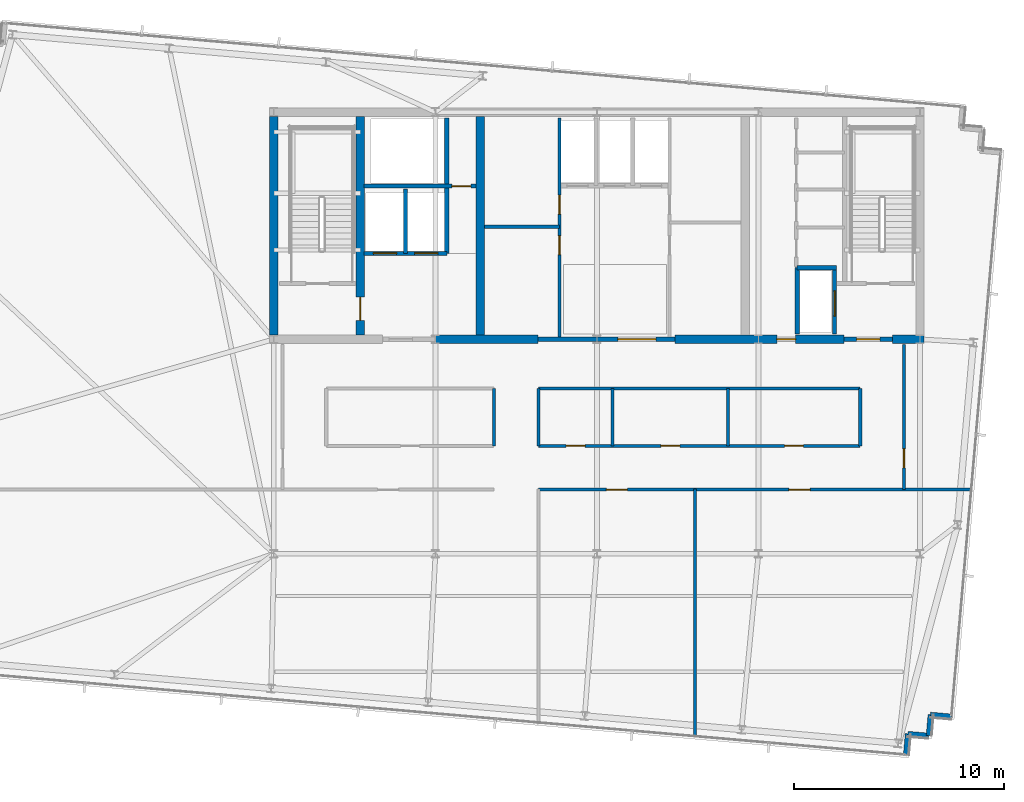
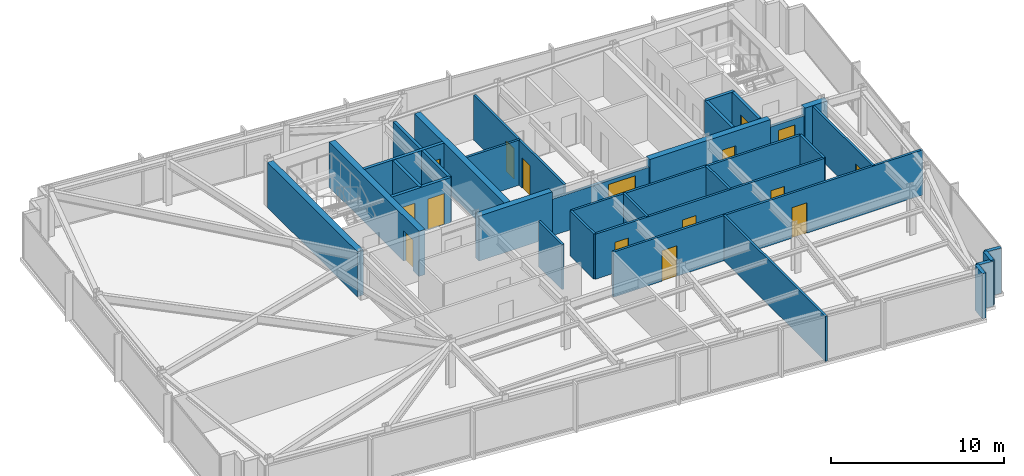
# One storey, part 27 of 32: 31 walls, 16 doors, 16 openings.
"""IFC4 building model written with IfcOpenShell, lengths in metres."""

from ifc_helpers import new_model, si_unit, direction, frame, frame_2d, origin, place, context, subcontext, project, spatial, rectangle, extrude, material, layer, layer_set, type_object, element, fill, save


model = new_model("IFC4")

# Units and contexts
model_context = context("Model", 3, precision=1e-05, world=origin(), true_north=direction((0.0, 1.0)))
body_context = subcontext(model_context, "Body", "Model", "MODEL_VIEW")
ifc_project = project(units=[si_unit("LENGTHUNIT", "METRE"), si_unit("AREAUNIT", "SQUARE_METRE"), si_unit("VOLUMEUNIT", "CUBIC_METRE"), si_unit("PLANEANGLEUNIT", "RADIAN"), si_unit("MASSUNIT", "GRAM", prefix="KILO")], contexts=[model_context])

# Site, building, storey
site_placement = place(None, origin())
site = spatial("IfcSite", under=ifc_project, at=site_placement, CompositionType="ELEMENT")
building_placement = place(site_placement, origin())
building = spatial("IfcBuilding", under=site, at=building_placement, Name="Yelkora Congress Tower", CompositionType="ELEMENT")
storey_placement = place(building_placement, frame((0.0, 0.0, 265.89990234375)))
storey = spatial("IfcBuildingStorey", under=building, at=storey_placement, Name="L74", CompositionType="ELEMENT", Elevation=265.89990234375)

# Wall
ifc_material_1 = material(Name="Concrete C50/60", Category="concrete")
ifc_layer_1 = layer(ifc_material_1, 0.39990234375)
ifc_layer_set_1 = layer_set([ifc_layer_1], Name="Concrete C50/60")
wall_type_1 = type_object("IfcWallType", Name="WALL-CORE-INT-400", PredefinedType="SHEAR", material=ifc_layer_set_1)
wall_1_placement = place(storey_placement, frame((30.719970703125, 35.39990234375, 0.0), z_axis=(0.0, 0.0, 1.0), x_axis=(1.0, 0.0, 0.0)))
element("IfcWall", 1, at=wall_1_placement, inside=storey, type_object=wall_type_1, Name="L74 Rear Core South-Center Shear Pier", PredefinedType="SHEAR", context=body_context, shape_type="SweptSolid", body=[
    extrude(rectangle(XDim=4.880126953125, YDim=0.39990234375, at=frame_2d((2.43994140625, 0.0))), origin(), (0.0, 0.0, 1.0), 3.18017578125),
])

# Wall, opening, door
wall_2_placement = place(storey_placement, frame((42.10009765625, 35.39990234375, 0.0), z_axis=(0.0, 0.0, 1.0), x_axis=(1.0, 0.0, 0.0)))
wall_2 = element("IfcWall", 2, at=wall_2_placement, inside=storey, type_object=wall_type_1, Name="L74 Rear Core South-East Shear Wall A", PredefinedType="SHEAR", context=body_context, shape_type="SweptSolid", body=[
    extrude(rectangle(XDim=8.0498046875, YDim=0.39990234375, at=frame_2d((4.02490234375, 0.0))), origin(), (0.0, 0.0, 1.0), 3.18017578125),
])
opening_1_placement = place(wall_2_placement, frame((4.85009765625, 0.0, 0.0)))
opening_1 = element("IfcOpeningElement", 3, at=opening_1_placement, cuts=wall_2, Name="Opening DR-090F6", PredefinedType="OPENING", context=body_context, shape_type="SweptSolid", body=[
    extrude(rectangle(XDim=0.89990234375, YDim=2.14990234375, at=frame_2d((0.449951171875, 1.074951171875))), frame((0.0, 0.2099609375, 0.0), z_axis=(0.0, -1.0, 0.0), x_axis=(1.0, 0.0, 0.0)), (0.0, 0.0, 1.0), 0.419921875),
])
ifc_material_2 = material(Name="Painted steel riser fire door leaf", Category="steel")
door_type_1 = type_object("IfcDoorType", Name="DOOR-FD60-900", OperationType="NOTDEFINED", PredefinedType="DOOR", material=ifc_material_2)
door_1_placement = place(opening_1_placement, origin())
door_1 = element("IfcDoor", 4, at=door_1_placement, inside=storey, type_object=door_type_1, Name="L74 Core Washroom Lobby Door", OperationType="SINGLE_SWING_RIGHT", OverallHeight=2.14990234375, OverallWidth=0.89990234375, PredefinedType="DOOR", context=body_context, shape_type="SweptSolid", body=[
    extrude(rectangle(XDim=0.89990234375, YDim=2.14990234375, at=frame_2d((0.449951171875, 1.074951171875))), frame((0.0, 0.02490234375, 0.0), z_axis=(0.0, -1.0, 0.0), x_axis=(1.0, 0.0, 0.0)), (0.0, 0.0, 1.0), 0.050048828125),
])
fill(opening_1, door_1)

# Walls
wall_3_placement = place(storey_placement, frame((52.449951171875, 35.39990234375, 0.0), z_axis=(0.0, 0.0, 1.0), x_axis=(1.0, 0.0, 0.0)))
element("IfcWall", 5, at=wall_3_placement, inside=storey, type_object=wall_type_1, Name="L74 Rear Core South-East Shear Wall B", PredefinedType="SHEAR", context=body_context, shape_type="SweptSolid", body=[
    extrude(rectangle(XDim=1.510009765625, YDim=0.39990234375, at=frame_2d((0.7548828125, 0.0))), origin(), (0.0, 0.0, 1.0), 3.18017578125),
])
wall_4_placement = place(storey_placement, frame((23.0400390625, 35.60009765625, 0.0), z_axis=(0.0, 0.0, 1.0), x_axis=(0.0, 1.0, 0.0)))
element("IfcWall", 6, at=wall_4_placement, inside=storey, type_object=wall_type_1, Name="L74 Rear Core Cross Shear Wall W", PredefinedType="SHEAR", context=body_context, shape_type="SweptSolid", body=[
    extrude(rectangle(XDim=10.39990234375, YDim=0.39990234375, at=frame_2d((5.199951171875, 0.0))), origin(), (0.0, 0.0, 1.0), 3.18017578125),
])

# Wall, opening, door
wall_5_placement = place(storey_placement, frame((27.14990234375, 35.60009765625, 0.0), z_axis=(0.0, 0.0, 1.0), x_axis=(0.0, 1.0, 0.0)))
wall_5 = element("IfcWall", 7, at=wall_5_placement, inside=storey, type_object=wall_type_1, Name="L74 Rear Core Cross Shear Wall C1", PredefinedType="SHEAR", context=body_context, shape_type="SweptSolid", body=[
    extrude(rectangle(XDim=10.39990234375, YDim=0.39990234375, at=frame_2d((5.199951171875, 0.0))), origin(), (0.0, 0.0, 1.0), 3.18017578125),
])
opening_2_placement = place(wall_5_placement, frame((0.699951171875, 0.0, 0.0)))
opening_2 = element("IfcOpeningElement", 8, at=opening_2_placement, cuts=wall_5, Name="Opening DR-110F9", PredefinedType="OPENING", context=body_context, shape_type="SweptSolid", body=[
    extrude(rectangle(XDim=1.10009765625, YDim=2.14990234375, at=frame_2d((0.550048828125, 1.074951171875))), frame((0.0, 0.2099609375, 0.0), z_axis=(0.0, -1.0, 0.0), x_axis=(1.0, 0.0, 0.0)), (0.0, 0.0, 1.0), 0.419921875),
])
ifc_material_3 = material(Name="Galvanised steel fire door leaf", Category="steel")
door_type_2 = type_object("IfcDoorType", Name="DOOR-FD90-1100", OperationType="NOTDEFINED", PredefinedType="DOOR", material=ifc_material_3)
door_2_placement = place(opening_2_placement, origin())
door_2 = element("IfcDoor", 9, at=door_2_placement, inside=storey, type_object=door_type_2, Name="L74 Firefighting Stair Transfer Door", OperationType="SINGLE_SWING_LEFT", OverallHeight=2.14990234375, OverallWidth=1.10009765625, PredefinedType="DOOR", context=body_context, shape_type="SweptSolid", body=[
    extrude(rectangle(XDim=1.10009765625, YDim=2.14990234375, at=frame_2d((0.550048828125, 1.074951171875))), frame((0.0, 0.02490234375, 0.0), z_axis=(0.0, -1.0, 0.0), x_axis=(1.0, 0.0, 0.0)), (0.0, 0.0, 1.0), 0.050048828125),
])
fill(opening_2, door_2)

# Walls
wall_6_placement = place(storey_placement, frame((32.85009765625, 35.60009765625, 0.0), z_axis=(0.0, 0.0, 1.0), x_axis=(0.0, 1.0, 0.0)))
element("IfcWall", 10, at=wall_6_placement, inside=storey, type_object=wall_type_1, Name="L74 Rear Core Cross Shear Wall C2", PredefinedType="SHEAR", context=body_context, shape_type="SweptSolid", body=[
    extrude(rectangle(XDim=10.39990234375, YDim=0.39990234375, at=frame_2d((5.199951171875, 0.0))), origin(), (0.0, 0.0, 1.0), 3.18017578125),
])
ifc_material_4 = material(Name="Concrete C40/50", Category="concrete")
ifc_layer_2 = layer(ifc_material_4, 0.239990234375)
ifc_layer_set_2 = layer_set([ifc_layer_2], Name="Concrete C40/50")
wall_type_2 = type_object("IfcWallType", Name="WALL-EXT-LIMESTONE-240", PredefinedType="SOLIDWALL", material=ifc_layer_set_2)
for number, where, z_axis, x_axis, name in (
    (11, (55.2578125, 17.458740234375, 0.0), (0.0, 0.0, 1.0), (-0.996193717496, 0.087166950281, 0.0), "L74 Serrated Corner Limestone Pier 16"),
    (12, (54.26171875, 17.5458984375, 0.0), (0.0, 0.0, 1.0), (-0.087166950281, -0.996193717496, 0.0), "L74 Serrated Corner Limestone Pier 17"),
):
    element("IfcWall", number, at=place(storey_placement, frame(where, z_axis=z_axis, x_axis=x_axis)), inside=storey, type_object=wall_type_2, Name=name, PredefinedType="SOLIDWALL", context=body_context, shape_type="SweptSolid", body=[
        extrude(rectangle(XDim=1.0, YDim=0.239990234375, at=frame_2d((0.5, 0.0))), origin(), (0.0, 0.0, 1.0), 3.18017578125),
    ])
for number, where, z_axis, x_axis, name in (
    (13, (54.174560546875, 16.5498046875, 0.0), (0.0, 0.0, 1.0), (-0.996195572005, 0.087145753297, 0.0), "L74 Serrated Corner Limestone Pier 18"),
    (14, (53.17822265625, 16.636962890625, 0.0), (0.0, 0.0, 1.0), (-0.087145753297, -0.996195572005, 0.0), "L74 Serrated Corner Limestone Pier 19"),
):
    element("IfcWall", number, at=place(storey_placement, frame(where, z_axis=z_axis, x_axis=x_axis)), inside=storey, type_object=wall_type_2, Name=name, PredefinedType="SOLIDWALL", context=body_context, shape_type="SweptSolid", body=[
        extrude(rectangle(XDim=1.000244140625, YDim=0.239990234375, at=frame_2d((0.5, 0.0))), origin(), (0.0, 0.0, 1.0), 3.18017578125),
    ])
ifc_material_5 = material(Name="Acoustic metal-stud gypsum partition", Category="gypsum")
ifc_layer_3 = layer(ifc_material_5, 0.14990234375)
ifc_layer_set_3 = layer_set([ifc_layer_3], Name="Acoustic metal-stud gypsum partition")
wall_type_3 = type_object("IfcWallType", Name="WALL-INT-150-NR", PredefinedType="PARTITIONING", material=ifc_layer_set_3)
wall_7_placement = place(storey_placement, frame((43.06201171875, 16.4580078125, 0.0), z_axis=(0.0, 0.0, 1.0), x_axis=(0.0, 1.0, 0.0)))
element("IfcWall", 15, at=wall_7_placement, inside=storey, type_object=wall_type_3, Name="L74 Partition Wall 25", PredefinedType="PARTITIONING", context=body_context, shape_type="SweptSolid", body=[
    extrude(rectangle(XDim=11.81201171875, YDim=0.14990234375, at=frame_2d((5.906005859375, 0.0))), origin(), (0.0, 0.0, 1.0), 3.18017578125),
])

# Wall, openings, doors
wall_8_placement = place(storey_placement, frame((35.6201171875, 28.25, 0.0), z_axis=(0.0, 0.0, 1.0), x_axis=(1.0, 0.0, 0.0)))
wall_8 = element("IfcWall", 16, at=wall_8_placement, inside=storey, type_object=wall_type_3, Name="L74 South Spine Wall East", PredefinedType="PARTITIONING", context=body_context, shape_type="SweptSolid", body=[
    extrude(rectangle(XDim=20.64208984375, YDim=0.14990234375, at=frame_2d((10.321044921875, 0.0))), origin(), (0.0, 0.0, 1.0), 3.18017578125),
])
opening_3_placement = place(wall_8_placement, frame((3.22607421875, 0.0, 0.0)))
opening_3 = element("IfcOpeningElement", 17, at=opening_3_placement, cuts=wall_8, Name="Opening DR-100N", PredefinedType="OPENING", context=body_context, shape_type="SweptSolid", body=[
    extrude(rectangle(XDim=1.0, YDim=2.14990234375, at=frame_2d((0.5, 1.074951171875))), frame((0.0, 0.0849609375, 0.0), z_axis=(0.0, -1.0, 0.0), x_axis=(1.0, 0.0, 0.0)), (0.0, 0.0, 1.0), 0.169921875),
])
opening_4_placement = place(wall_8_placement, frame((11.910888671875, 0.0, 0.0)))
opening_4 = element("IfcOpeningElement", 18, at=opening_4_placement, cuts=wall_8, Name="Opening DR-100N", PredefinedType="OPENING", context=body_context, shape_type="SweptSolid", body=[
    extrude(rectangle(XDim=1.0, YDim=2.14990234375, at=frame_2d((0.5, 1.074951171875))), frame((0.0, 0.0849609375, 0.0), z_axis=(0.0, -1.0, 0.0), x_axis=(1.0, 0.0, 0.0)), (0.0, 0.0, 1.0), 0.169921875),
])
ifc_material_6 = material(Name="Solid-core Anatolian oak veneer door", Category="wood")
door_type_3 = type_object("IfcDoorType", Name="DOOR-INT-1000", OperationType="NOTDEFINED", PredefinedType="DOOR", material=ifc_material_6)
door_3_placement = place(opening_3_placement, origin())
door_3 = element("IfcDoor", 19, at=door_3_placement, inside=storey, type_object=door_type_3, Name="L74 Conference Hall Door", OperationType="SINGLE_SWING_RIGHT", OverallHeight=2.14990234375, OverallWidth=1.0, PredefinedType="DOOR", context=body_context, shape_type="SweptSolid", body=[
    extrude(rectangle(XDim=1.0, YDim=2.14990234375, at=frame_2d((0.5, 1.074951171875))), frame((0.0, 0.02490234375, 0.0), z_axis=(0.0, -1.0, 0.0), x_axis=(1.0, 0.0, 0.0)), (0.0, 0.0, 1.0), 0.050048828125),
])
fill(opening_3, door_3)
door_4_placement = place(opening_4_placement, origin())
door_4 = element("IfcDoor", 20, at=door_4_placement, inside=storey, type_object=door_type_3, Name="L74 Living & Reading Lounge Door", OperationType="SINGLE_SWING_LEFT", OverallHeight=2.14990234375, OverallWidth=1.0, PredefinedType="DOOR", context=body_context, shape_type="SweptSolid", body=[
    extrude(rectangle(XDim=1.0, YDim=2.14990234375, at=frame_2d((0.5, 1.074951171875))), frame((0.0, 0.02490234375, 0.0), z_axis=(0.0, -1.0, 0.0), x_axis=(1.0, 0.0, 0.0)), (0.0, 0.0, 1.0), 0.050048828125),
])
fill(opening_4, door_4)

# Wall, opening, door
wall_9_placement = place(storey_placement, frame((53.0, 28.25, 0.0), z_axis=(0.0, 0.0, 1.0), x_axis=(0.0, 1.0, 0.0)))
wall_9 = element("IfcWall", 21, at=wall_9_placement, inside=storey, type_object=wall_type_3, Name="L74 Partition Wall 29", PredefinedType="PARTITIONING", context=body_context, shape_type="SweptSolid", body=[
    extrude(rectangle(XDim=6.889892578125, YDim=0.14990234375, at=frame_2d((3.44482421875, 0.0))), origin(), (0.0, 0.0, 1.0), 3.18017578125),
])
opening_5_placement = place(wall_9_placement, frame((1.030029296875, 0.0, 0.0)))
opening_5 = element("IfcOpeningElement", 22, at=opening_5_placement, cuts=wall_9, Name="Opening DR-090N", PredefinedType="OPENING", context=body_context, shape_type="SweptSolid", body=[
    extrude(rectangle(XDim=0.89990234375, YDim=2.14990234375, at=frame_2d((0.449951171875, 1.074951171875))), frame((0.0, 0.0849609375, 0.0), z_axis=(0.0, -1.0, 0.0), x_axis=(1.0, 0.0, 0.0)), (0.0, 0.0, 1.0), 0.169921875),
])
ifc_material_7 = material(Name="Moisture-resistant laminate door leaf", Category="wood")
door_type_4 = type_object("IfcDoorType", Name="DOOR-INT-900", OperationType="NOTDEFINED", PredefinedType="DOOR", material=ifc_material_7)
door_5_placement = place(opening_5_placement, origin())
door_5 = element("IfcDoor", 23, at=door_5_placement, inside=storey, type_object=door_type_4, Name="L74 E Wing Door", OperationType="SINGLE_SWING_LEFT", OverallHeight=2.14990234375, OverallWidth=0.89990234375, PredefinedType="DOOR", context=body_context, shape_type="SweptSolid", body=[
    extrude(rectangle(XDim=0.89990234375, YDim=2.14990234375, at=frame_2d((0.449951171875, 1.074951171875))), frame((0.0, 0.02490234375, 0.0), z_axis=(0.0, -1.0, 0.0), x_axis=(1.0, 0.0, 0.0)), (0.0, 0.0, 1.0), 0.050048828125),
])
fill(opening_5, door_5)

# Walls
for number, where, z_axis, x_axis, name in (
    (24, (50.919921875, 30.330078125, 0.0), (0.0, 0.0, 1.0), (0.0, 1.0, 0.0), "L74 Partition Wall 31"),
    (25, (33.5, 30.330078125, 0.0), (0.0, 0.0, 1.0), (0.0, 1.0, 0.0), "L74 Partition Wall 32"),
    (26, (35.6201171875, 30.330078125, 0.0), (0.0, 0.0, 1.0), (0.0, 1.0, 0.0), "L74 Partition Wall 33"),
):
    element("IfcWall", number, at=place(storey_placement, frame(where, z_axis=z_axis, x_axis=x_axis)), inside=storey, type_object=wall_type_3, Name=name, PredefinedType="PARTITIONING", context=body_context, shape_type="SweptSolid", body=[
        extrude(rectangle(XDim=2.719970703125, YDim=0.14990234375, at=frame_2d((1.35986328125, 0.0))), origin(), (0.0, 0.0, 1.0), 3.18017578125),
    ])
wall_10_placement = place(storey_placement, frame((35.6201171875, 33.050048828125, 0.0), z_axis=(0.0, 0.0, 1.0), x_axis=(1.0, 0.0, 0.0)))
element("IfcWall", 27, at=wall_10_placement, inside=storey, type_object=wall_type_3, Name="L74 Partition Wall 35", PredefinedType="PARTITIONING", context=body_context, shape_type="SweptSolid", body=[
    extrude(rectangle(XDim=15.2998046875, YDim=0.14990234375, at=frame_2d((7.64990234375, 0.0))), origin(), (0.0, 0.0, 1.0), 3.18017578125),
])
for number, where, z_axis, x_axis, name in (
    (28, (39.14208984375, 30.330078125, 0.0), (0.0, 0.0, 1.0), (0.0, 1.0, 0.0), "L74 Partition Wall 37"),
    (29, (44.638916015625, 30.330078125, 0.0), (0.0, 0.0, 1.0), (0.0, 1.0, 0.0), "L74 Partition Wall 38"),
):
    element("IfcWall", number, at=place(storey_placement, frame(where, z_axis=z_axis, x_axis=x_axis)), inside=storey, type_object=wall_type_3, Name=name, PredefinedType="PARTITIONING", context=body_context, shape_type="SweptSolid", body=[
        extrude(rectangle(XDim=2.719970703125, YDim=0.14990234375, at=frame_2d((1.35986328125, 0.0))), origin(), (0.0, 0.0, 1.0), 3.18017578125),
    ])

# Wall, openings, doors
wall_11_placement = place(storey_placement, frame((35.6298828125, 30.330078125, 0.0), z_axis=(0.0, 0.0, 1.0), x_axis=(1.0, 0.0, 0.0)))
wall_11 = element("IfcWall", 30, at=wall_11_placement, inside=storey, type_object=wall_type_3, Name="L74 Partition Wall 39", PredefinedType="PARTITIONING", context=body_context, shape_type="SweptSolid", body=[
    extrude(rectangle(XDim=15.27001953125, YDim=0.14990234375, at=frame_2d((7.635009765625, 0.0))), origin(), (0.0, 0.0, 1.0), 3.18017578125),
])
opening_6_placement = place(wall_11_placement, frame((1.305908203125, 0.0, 0.0)))
opening_6 = element("IfcOpeningElement", 31, at=opening_6_placement, cuts=wall_11, Name="Opening DR-090N", PredefinedType="OPENING", context=body_context, shape_type="SweptSolid", body=[
    extrude(rectangle(XDim=0.89990234375, YDim=2.14990234375, at=frame_2d((0.449951171875, 1.074951171875))), frame((0.0, 0.0849609375, 0.0), z_axis=(0.0, -1.0, 0.0), x_axis=(1.0, 0.0, 0.0)), (0.0, 0.0, 1.0), 0.169921875),
])
opening_7_placement = place(wall_11_placement, frame((5.810546875, 0.0, 0.0)))
opening_7 = element("IfcOpeningElement", 32, at=opening_7_placement, cuts=wall_11, Name="Opening DR-090N", PredefinedType="OPENING", context=body_context, shape_type="SweptSolid", body=[
    extrude(rectangle(XDim=0.89990234375, YDim=2.14990234375, at=frame_2d((0.449951171875, 1.074951171875))), frame((0.0, 0.0849609375, 0.0), z_axis=(0.0, -1.0, 0.0), x_axis=(1.0, 0.0, 0.0)), (0.0, 0.0, 1.0), 0.169921875),
])
opening_8_placement = place(wall_11_placement, frame((11.689453125, 0.0, 0.0)))
opening_8 = element("IfcOpeningElement", 33, at=opening_8_placement, cuts=wall_11, Name="Opening DR-090N", PredefinedType="OPENING", context=body_context, shape_type="SweptSolid", body=[
    extrude(rectangle(XDim=0.89990234375, YDim=2.14990234375, at=frame_2d((0.449951171875, 1.074951171875))), frame((0.0, 0.0849609375, 0.0), z_axis=(0.0, -1.0, 0.0), x_axis=(1.0, 0.0, 0.0)), (0.0, 0.0, 1.0), 0.169921875),
])
door_6_placement = place(opening_6_placement, origin())
door_6 = element("IfcDoor", 34, at=door_6_placement, inside=storey, type_object=door_type_4, Name="L74 Huddle Seminar Room Door", OperationType="SINGLE_SWING_LEFT", OverallHeight=2.14990234375, OverallWidth=0.89990234375, PredefinedType="DOOR", context=body_context, shape_type="SweptSolid", body=[
    extrude(rectangle(XDim=0.89990234375, YDim=2.14990234375, at=frame_2d((0.449951171875, 1.074951171875))), frame((0.0, 0.02490234375, 0.0), z_axis=(0.0, -1.0, 0.0), x_axis=(1.0, 0.0, 0.0)), (0.0, 0.0, 1.0), 0.050048828125),
])
fill(opening_6, door_6)
door_7_placement = place(opening_7_placement, origin())
door_7 = element("IfcDoor", 35, at=door_7_placement, inside=storey, type_object=door_type_4, Name="L74 Breakout Training Room Door", OperationType="SINGLE_SWING_RIGHT", OverallHeight=2.14990234375, OverallWidth=0.89990234375, PredefinedType="DOOR", context=body_context, shape_type="SweptSolid", body=[
    extrude(rectangle(XDim=0.89990234375, YDim=2.14990234375, at=frame_2d((0.449951171875, 1.074951171875))), frame((0.0, 0.02490234375, 0.0), z_axis=(0.0, -1.0, 0.0), x_axis=(1.0, 0.0, 0.0)), (0.0, 0.0, 1.0), 0.050048828125),
])
fill(opening_7, door_7)
door_8_placement = place(opening_8_placement, origin())
door_8 = element("IfcDoor", 36, at=door_8_placement, inside=storey, type_object=door_type_4, Name="L74 Executive Boardroom Door", OperationType="SINGLE_SWING_LEFT", OverallHeight=2.14990234375, OverallWidth=0.89990234375, PredefinedType="DOOR", context=body_context, shape_type="SweptSolid", body=[
    extrude(rectangle(XDim=0.89990234375, YDim=2.14990234375, at=frame_2d((0.449951171875, 1.074951171875))), frame((0.0, 0.02490234375, 0.0), z_axis=(0.0, -1.0, 0.0), x_axis=(1.0, 0.0, 0.0)), (0.0, 0.0, 1.0), 0.050048828125),
])
fill(opening_8, door_8)

# Wall
ifc_material_8 = material(Name="Twin-stud fire-rated gypsum partition", Category="gypsum")
ifc_layer_4 = layer(ifc_material_8, 0.14990234375)
ifc_layer_set_4 = layer_set([ifc_layer_4], Name="Twin-stud fire-rated gypsum partition")
wall_type_4 = type_object("IfcWallType", Name="WALL-INT-150-R60", PredefinedType="PARTITIONING", material=ifc_layer_set_4)
wall_12_placement = place(storey_placement, frame((33.050048828125, 40.75, 0.0), z_axis=(0.0, 0.0, 1.0), x_axis=(1.0, 0.0, 0.0)))
element("IfcWall", 37, at=wall_12_placement, inside=storey, type_object=wall_type_4, Name="L74 Partition Wall 11", PredefinedType="PARTITIONING", context=body_context, shape_type="SweptSolid", body=[
    extrude(rectangle(XDim=3.570068359375, YDim=0.14990234375, at=frame_2d((1.78515625, 0.0))), origin(), (0.0, 0.0, 1.0), 3.18017578125),
])

# Wall, openings, doors
wall_13_placement = place(storey_placement, frame((36.6201171875, 35.5, 0.0), z_axis=(0.0, 0.0, 1.0), x_axis=(0.0, 1.0, 0.0)))
wall_13 = element("IfcWall", 38, at=wall_13_placement, inside=storey, type_object=wall_type_4, Name="L74 Partition Wall 12", PredefinedType="PARTITIONING", context=body_context, shape_type="SweptSolid", body=[
    extrude(rectangle(XDim=10.419921875, YDim=0.14990234375, at=frame_2d((5.2099609375, 0.0))), origin(), (0.0, 0.0, 1.0), 3.18017578125),
])
opening_9_placement = place(wall_13_placement, frame((3.919921875, 0.0, 0.0)))
opening_9 = element("IfcOpeningElement", 39, at=opening_9_placement, cuts=wall_13, Name="Opening DR-090F6", PredefinedType="OPENING", context=body_context, shape_type="SweptSolid", body=[
    extrude(rectangle(XDim=0.89990234375, YDim=2.14990234375, at=frame_2d((0.449951171875, 1.074951171875))), frame((0.0, 0.0849609375, 0.0), z_axis=(0.0, -1.0, 0.0), x_axis=(1.0, 0.0, 0.0)), (0.0, 0.0, 1.0), 0.169921875),
])
opening_10_placement = place(wall_13_placement, frame((5.85009765625, 0.0, 0.0)))
opening_10 = element("IfcOpeningElement", 40, at=opening_10_placement, cuts=wall_13, Name="Opening DR-090F6", PredefinedType="OPENING", context=body_context, shape_type="SweptSolid", body=[
    extrude(rectangle(XDim=0.89990234375, YDim=2.14990234375, at=frame_2d((0.449951171875, 1.074951171875))), frame((0.0, 0.0849609375, 0.0), z_axis=(0.0, -1.0, 0.0), x_axis=(1.0, 0.0, 0.0)), (0.0, 0.0, 1.0), 0.169921875),
])
door_9_placement = place(opening_9_placement, origin())
door_9 = element("IfcDoor", 41, at=door_9_placement, inside=storey, type_object=door_type_1, Name="L74 Telecom Store Door", OperationType="SINGLE_SWING_RIGHT", OverallHeight=2.14990234375, OverallWidth=0.89990234375, PredefinedType="DOOR", context=body_context, shape_type="SweptSolid", body=[
    extrude(rectangle(XDim=0.89990234375, YDim=2.14990234375, at=frame_2d((0.449951171875, 1.074951171875))), frame((0.0, 0.02490234375, 0.0), z_axis=(0.0, -1.0, 0.0), x_axis=(1.0, 0.0, 0.0)), (0.0, 0.0, 1.0), 0.050048828125),
])
fill(opening_9, door_9)
door_10_placement = place(opening_10_placement, origin())
door_10 = element("IfcDoor", 42, at=door_10_placement, inside=storey, type_object=door_type_1, Name="L74 Archive Store Door", OperationType="SINGLE_SWING_LEFT", OverallHeight=2.14990234375, OverallWidth=0.89990234375, PredefinedType="DOOR", context=body_context, shape_type="SweptSolid", body=[
    extrude(rectangle(XDim=0.89990234375, YDim=2.14990234375, at=frame_2d((0.449951171875, 1.074951171875))), frame((0.0, 0.02490234375, 0.0), z_axis=(0.0, -1.0, 0.0), x_axis=(1.0, 0.0, 0.0)), (0.0, 0.0, 1.0), 0.050048828125),
])
fill(opening_10, door_10)

ifc_material_9 = material(Name="Autoclaved aerated concrete blockwork", Category="masonry")
ifc_layer_5 = layer(ifc_material_9, 0.199951171875)
ifc_layer_set_5 = layer_set([ifc_layer_5], Name="Autoclaved aerated concrete blockwork")
wall_type_5 = type_object("IfcWallType", Name="WALL-INT-200-R120", PredefinedType="PARTITIONING", material=ifc_layer_set_5)
wall_14_placement = place(storey_placement, frame((27.320068359375, 39.47998046875, 0.0), z_axis=(0.0, 0.0, 1.0), x_axis=(1.0, 0.0, 0.0)))
wall_14 = element("IfcWall", 43, at=wall_14_placement, inside=storey, type_object=wall_type_5, Name="L74 Firefighting Lift Front Wall", PredefinedType="PARTITIONING", context=body_context, shape_type="SweptSolid", body=[
    extrude(rectangle(XDim=3.93994140625, YDim=0.199951171875, at=frame_2d((1.969970703125, 0.0))), origin(), (0.0, 0.0, 1.0), 3.18017578125),
])
opening_11_placement = place(wall_14_placement, frame((0.449951171875, 0.0, 0.0)))
opening_11 = element("IfcOpeningElement", 44, at=opening_11_placement, cuts=wall_14, Name="Opening LD-FF11", PredefinedType="OPENING", context=body_context, shape_type="SweptSolid", body=[
    extrude(rectangle(XDim=1.10009765625, YDim=2.199951171875, at=frame_2d((0.550048828125, 1.10009765625))), frame((0.0, 0.10986328125, 0.0), z_axis=(0.0, -1.0, 0.0), x_axis=(1.0, 0.0, 0.0)), (0.0, 0.0, 1.0), 0.219970703125),
])
opening_12_placement = place(wall_14_placement, frame((2.409912109375, 0.0, 0.0)))
opening_12 = element("IfcOpeningElement", 45, at=opening_12_placement, cuts=wall_14, Name="Opening LD-FF11", PredefinedType="OPENING", context=body_context, shape_type="SweptSolid", body=[
    extrude(rectangle(XDim=1.10009765625, YDim=2.199951171875, at=frame_2d((0.550048828125, 1.10009765625))), frame((0.0, 0.10986328125, 0.0), z_axis=(0.0, -1.0, 0.0), x_axis=(1.0, 0.0, 0.0)), (0.0, 0.0, 1.0), 0.219970703125),
])
ifc_material_10 = material(Name="Brushed stainless steel 316L landing door", Category="steel")
door_type_5 = type_object("IfcDoorType", Name="DOOR-LIFT-FF-1100", OperationType="DOUBLE_DOOR_SLIDING", PredefinedType="DOOR", material=ifc_material_10)
door_11_placement = place(opening_11_placement, origin())
door_11 = element("IfcDoor", 46, at=door_11_placement, inside=storey, type_object=door_type_5, Name="Lift Landing Door LF-FF1 L74", OperationType="DOUBLE_DOOR_SLIDING", OverallHeight=2.199951171875, OverallWidth=1.10009765625, PredefinedType="DOOR", context=body_context, shape_type="SweptSolid", body=[
    extrude(rectangle(XDim=1.10009765625, YDim=2.199951171875, at=frame_2d((0.550048828125, 1.10009765625))), frame((0.0, 0.02490234375, 0.0), z_axis=(0.0, -1.0, 0.0), x_axis=(1.0, 0.0, 0.0)), (0.0, 0.0, 1.0), 0.050048828125),
])
fill(opening_11, door_11)
door_12_placement = place(opening_12_placement, origin())
door_12 = element("IfcDoor", 47, at=door_12_placement, inside=storey, type_object=door_type_5, Name="Lift Landing Door LF-FF2 L74", OperationType="DOUBLE_DOOR_SLIDING", OverallHeight=2.199951171875, OverallWidth=1.10009765625, PredefinedType="DOOR", context=body_context, shape_type="SweptSolid", body=[
    extrude(rectangle(XDim=1.10009765625, YDim=2.199951171875, at=frame_2d((0.550048828125, 1.10009765625))), frame((0.0, 0.02490234375, 0.0), z_axis=(0.0, -1.0, 0.0), x_axis=(1.0, 0.0, 0.0)), (0.0, 0.0, 1.0), 0.050048828125),
])
fill(opening_12, door_12)

# Walls
wall_15_placement = place(storey_placement, frame((29.300048828125, 39.47998046875, 0.0), z_axis=(0.0, 0.0, 1.0), x_axis=(0.0, 1.0, 0.0)))
element("IfcWall", 48, at=wall_15_placement, inside=storey, type_object=wall_type_5, Name="L74 Partition Wall 4", PredefinedType="PARTITIONING", context=body_context, shape_type="SweptSolid", body=[
    extrude(rectangle(XDim=3.070068359375, YDim=0.199951171875, at=frame_2d((1.53515625, 0.0))), origin(), (0.0, 0.0, 1.0), 3.18017578125),
])
wall_16_placement = place(storey_placement, frame((31.260009765625, 39.47998046875, 0.0), z_axis=(0.0, 0.0, 1.0), x_axis=(0.0, 1.0, 0.0)))
element("IfcWall", 49, at=wall_16_placement, inside=storey, type_object=wall_type_5, Name="L74 Partition Wall 5", PredefinedType="PARTITIONING", context=body_context, shape_type="SweptSolid", body=[
    extrude(rectangle(XDim=6.43994140625, YDim=0.199951171875, at=frame_2d((3.219970703125, 0.0))), origin(), (0.0, 0.0, 1.0), 3.18017578125),
])

# Wall, opening, door
wall_17_placement = place(storey_placement, frame((27.320068359375, 42.679931640625, 0.0), z_axis=(0.0, 0.0, 1.0), x_axis=(1.0, 0.0, 0.0)))
wall_17 = element("IfcWall", 50, at=wall_17_placement, inside=storey, type_object=wall_type_5, Name="L74 Smoke Riser South Wall", PredefinedType="PARTITIONING", context=body_context, shape_type="SweptSolid", body=[
    extrude(rectangle(XDim=5.329833984375, YDim=0.199951171875, at=frame_2d((2.6650390625, 0.0))), origin(), (0.0, 0.0, 1.0), 3.18017578125),
])
opening_13_placement = place(wall_17_placement, frame((4.179931640625, 0.0, 0.0)))
opening_13 = element("IfcOpeningElement", 51, at=opening_13_placement, cuts=wall_17, Name="Opening DR-090F6", PredefinedType="OPENING", context=body_context, shape_type="SweptSolid", body=[
    extrude(rectangle(XDim=0.89990234375, YDim=2.14990234375, at=frame_2d((0.449951171875, 1.074951171875))), frame((0.0, 0.10986328125, 0.0), z_axis=(0.0, -1.0, 0.0), x_axis=(1.0, 0.0, 0.0)), (0.0, 0.0, 1.0), 0.219970703125),
])
door_13_placement = place(opening_13_placement, origin())
door_13 = element("IfcDoor", 52, at=door_13_placement, inside=storey, type_object=door_type_1, Name="L74 Riser Access Door", OperationType="SINGLE_SWING_LEFT", OverallHeight=2.14990234375, OverallWidth=0.89990234375, PredefinedType="DOOR", context=body_context, shape_type="SweptSolid", body=[
    extrude(rectangle(XDim=0.89990234375, YDim=2.14990234375, at=frame_2d((0.449951171875, 1.074951171875))), frame((0.0, 0.02490234375, 0.0), z_axis=(0.0, -1.0, 0.0), x_axis=(1.0, 0.0, 0.0)), (0.0, 0.0, 1.0), 0.050048828125),
])
fill(opening_13, door_13)

wall_18_placement = place(storey_placement, frame((35.60009765625, 35.39990234375, 0.0), z_axis=(0.0, 0.0, 1.0), x_axis=(1.0, 0.0, 0.0)))
wall_18 = element("IfcWall", 53, at=wall_18_placement, inside=storey, type_object=wall_type_5, Name="L74 Main Lift Lobby South Portal Wall", PredefinedType="PARTITIONING", context=body_context, shape_type="SweptSolid", body=[
    extrude(rectangle(XDim=6.5, YDim=0.199951171875, at=frame_2d((3.25, 0.0))), origin(), (0.0, 0.0, 1.0), 2.5751953125),
])
opening_14_placement = place(wall_18_placement, frame((3.800048828125, 0.0, 0.0)))
opening_14 = element("IfcOpeningElement", 54, at=opening_14_placement, cuts=wall_18, Name="Opening DR-180D", PredefinedType="OPENING", context=body_context, shape_type="SweptSolid", body=[
    extrude(rectangle(XDim=1.800048828125, YDim=2.300048828125, at=frame_2d((0.89990234375, 1.14990234375))), frame((0.0, 0.10986328125, 0.0), z_axis=(0.0, -1.0, 0.0), x_axis=(1.0, 0.0, 0.0)), (0.0, 0.0, 1.0), 0.219970703125),
])
ifc_material_11 = material(Name="Acoustic double congress hall doors", Category="wood")
door_type_6 = type_object("IfcDoorType", Name="DOOR-DBL-1800", OperationType="DOUBLE_DOOR_SINGLE_SWING", PredefinedType="DOOR", material=ifc_material_11)
door_14_placement = place(opening_14_placement, origin())
door_14 = element("IfcDoor", 55, at=door_14_placement, inside=storey, type_object=door_type_6, Name="L74 Main Lift Lobby Portal Door", OperationType="DOUBLE_DOOR_SINGLE_SWING", OverallHeight=2.300048828125, OverallWidth=1.800048828125, PredefinedType="DOOR", context=body_context, shape_type="SweptSolid", body=[
    extrude(rectangle(XDim=1.800048828125, YDim=2.300048828125, at=frame_2d((0.89990234375, 1.14990234375))), frame((0.0, 0.02490234375, 0.0), z_axis=(0.0, -1.0, 0.0), x_axis=(1.0, 0.0, 0.0)), (0.0, 0.0, 1.0), 0.050048828125),
])
fill(opening_14, door_14)

wall_19_placement = place(storey_placement, frame((50.14990234375, 35.39990234375, 0.0), z_axis=(0.0, 0.0, 1.0), x_axis=(1.0, 0.0, 0.0)))
wall_19 = element("IfcWall", 56, at=wall_19_placement, inside=storey, type_object=wall_type_5, Name="L74 Partition Wall 16", PredefinedType="PARTITIONING", context=body_context, shape_type="SweptSolid", body=[
    extrude(rectangle(XDim=2.300048828125, YDim=0.199951171875, at=frame_2d((1.14990234375, 0.0))), origin(), (0.0, 0.0, 1.0), 2.5751953125),
])
opening_15_placement = place(wall_19_placement, frame((0.60009765625, 0.0, 0.0)))
opening_15 = element("IfcOpeningElement", 57, at=opening_15_placement, cuts=wall_19, Name="Opening DR-110F9", PredefinedType="OPENING", context=body_context, shape_type="SweptSolid", body=[
    extrude(rectangle(XDim=1.10009765625, YDim=2.14990234375, at=frame_2d((0.550048828125, 1.074951171875))), frame((0.0, 0.10986328125, 0.0), z_axis=(0.0, -1.0, 0.0), x_axis=(1.0, 0.0, 0.0)), (0.0, 0.0, 1.0), 0.219970703125),
])
door_15_placement = place(opening_15_placement, origin())
door_15 = element("IfcDoor", 58, at=door_15_placement, inside=storey, type_object=door_type_2, Name="L74 East Stair Lobby Door", OperationType="SINGLE_SWING_LEFT", OverallHeight=2.14990234375, OverallWidth=1.10009765625, PredefinedType="DOOR", context=body_context, shape_type="SweptSolid", body=[
    extrude(rectangle(XDim=1.10009765625, YDim=2.14990234375, at=frame_2d((0.550048828125, 1.074951171875))), frame((0.0, 0.02490234375, 0.0), z_axis=(0.0, -1.0, 0.0), x_axis=(1.0, 0.0, 0.0)), (0.0, 0.0, 1.0), 0.050048828125),
])
fill(opening_15, door_15)

wall_20_placement = place(storey_placement, frame((49.699951171875, 35.64990234375, 0.0), z_axis=(0.0, 0.0, 1.0), x_axis=(0.0, 1.0, 0.0)))
wall_20 = element("IfcWall", 59, at=wall_20_placement, inside=storey, type_object=wall_type_5, Name="L74 Partition Wall 17", PredefinedType="PARTITIONING", context=body_context, shape_type="SweptSolid", body=[
    extrude(rectangle(XDim=3.150146484375, YDim=0.199951171875, at=frame_2d((1.5751953125, 0.0))), origin(), (0.0, 0.0, 1.0), 3.18017578125),
])
opening_16_placement = place(wall_20_placement, frame((0.85009765625, 0.0, 0.0)))
opening_16 = element("IfcOpeningElement", 60, at=opening_16_placement, cuts=wall_20, Name="Opening LD-SV12", PredefinedType="OPENING", context=body_context, shape_type="SweptSolid", body=[
    extrude(rectangle(XDim=1.199951171875, YDim=2.199951171875, at=frame_2d((0.60009765625, 1.10009765625))), frame((0.0, 0.10986328125, 0.0), z_axis=(0.0, -1.0, 0.0), x_axis=(1.0, 0.0, 0.0)), (0.0, 0.0, 1.0), 0.219970703125),
])
ifc_material_12 = material(Name="Heavy-duty stainless steel landing door", Category="steel")
door_type_7 = type_object("IfcDoorType", Name="DOOR-LIFT-SRV-1200", OperationType="DOUBLE_DOOR_SLIDING", PredefinedType="DOOR", material=ifc_material_12)
door_16_placement = place(opening_16_placement, origin())
door_16 = element("IfcDoor", 61, at=door_16_placement, inside=storey, type_object=door_type_7, Name="Service Lift Landing Door LF-SV1 L74", OperationType="DOUBLE_DOOR_SLIDING", OverallHeight=2.199951171875, OverallWidth=1.199951171875, PredefinedType="DOOR", context=body_context, shape_type="SweptSolid", body=[
    extrude(rectangle(XDim=1.199951171875, YDim=2.199951171875, at=frame_2d((0.60009765625, 1.10009765625))), frame((0.0, 0.02490234375, 0.0), z_axis=(0.0, -1.0, 0.0), x_axis=(1.0, 0.0, 0.0)), (0.0, 0.0, 1.0), 0.050048828125),
])
fill(opening_16, door_16)

# Walls
wall_21_placement = place(storey_placement, frame((47.919921875, 35.64990234375, 0.0), z_axis=(0.0, 0.0, 1.0), x_axis=(0.0, 1.0, 0.0)))
element("IfcWall", 62, at=wall_21_placement, inside=storey, type_object=wall_type_5, Name="L74 Partition Wall 18", PredefinedType="PARTITIONING", context=body_context, shape_type="SweptSolid", body=[
    extrude(rectangle(XDim=3.150146484375, YDim=0.199951171875, at=frame_2d((1.5751953125, 0.0))), origin(), (0.0, 0.0, 1.0), 3.18017578125),
])
wall_22_placement = place(storey_placement, frame((47.919921875, 38.800048828125, 0.0), z_axis=(0.0, 0.0, 1.0), x_axis=(1.0, 0.0, 0.0)))
element("IfcWall", 63, at=wall_22_placement, inside=storey, type_object=wall_type_5, Name="L74 Partition Wall 19", PredefinedType="PARTITIONING", context=body_context, shape_type="SweptSolid", body=[
    extrude(rectangle(XDim=1.860107421875, YDim=0.199951171875, at=frame_2d((0.93017578125, 0.0))), origin(), (0.0, 0.0, 1.0), 3.18017578125),
])

save(model, "model.ifc")
